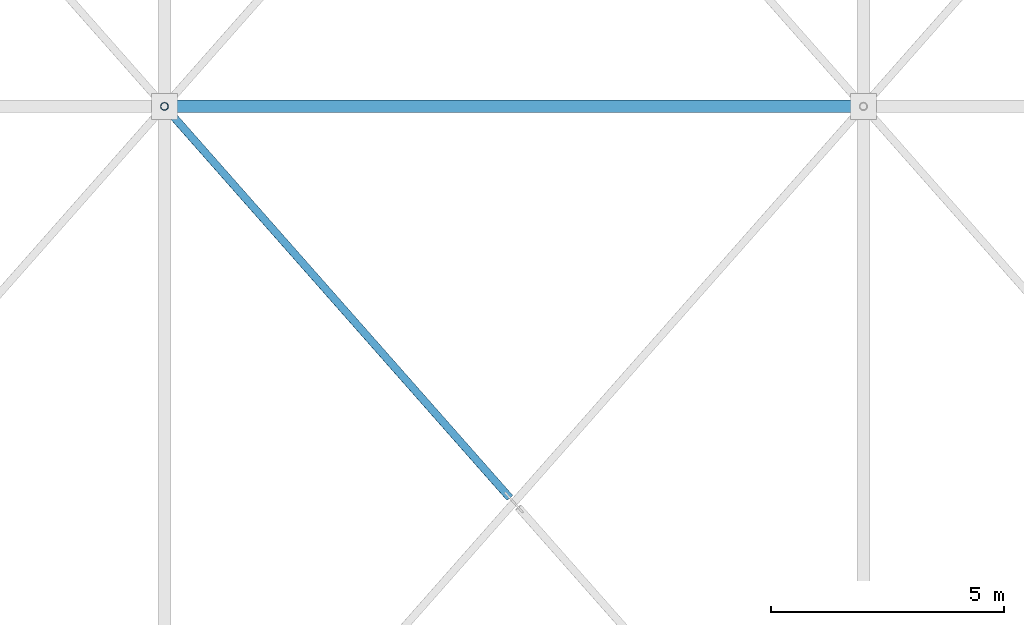
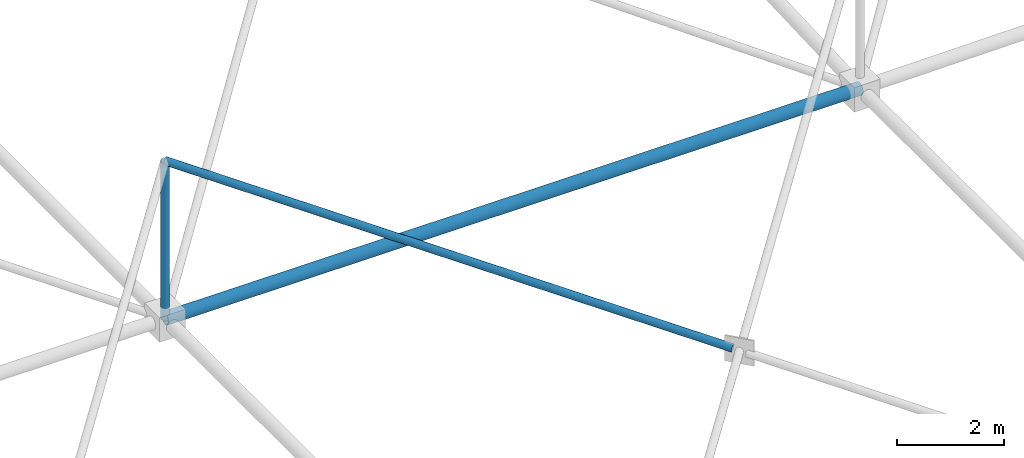
# One storey, part 103 of 224: 3 members.
"""IFC4 building model written with IfcOpenShell, lengths in metres."""

from ifc_helpers import new_model, si_unit, direction, frame, origin, origin_2d, place, context, subcontext, project, spatial, hollow_circle, extrude, material, material_profile, profile_set, type_object, element, save


model = new_model("IFC4")

# Units and contexts
model_context = context("Model", 3, precision=1e-05, world=origin(), true_north=direction((0.0, 1.0)))
body_context = subcontext(model_context, "Body", "Model", "MODEL_VIEW")
ifc_project = project(units=[si_unit("LENGTHUNIT", "METRE"), si_unit("AREAUNIT", "SQUARE_METRE"), si_unit("VOLUMEUNIT", "CUBIC_METRE"), si_unit("PLANEANGLEUNIT", "RADIAN"), si_unit("MASSUNIT", "GRAM", prefix="KILO")], contexts=[model_context])

# Site, building, storey
site_placement = place(None, origin())
site = spatial("IfcSite", under=ifc_project, at=site_placement, CompositionType="ELEMENT")
building_placement = place(site_placement, origin())
building = spatial("IfcBuilding", under=site, at=building_placement, Name="Qamarlyn Nura Convention Centre", CompositionType="ELEMENT")
storey_placement = place(building_placement, frame((0.0, 0.0, 10.800048828125)))
storey = spatial("IfcBuildingStorey", under=building, at=storey_placement, Name="L02", CompositionType="ELEMENT", Elevation=10.800048828125)

# Members
ifc_material = material(Name="Pearl-white PVDF steel ASTM A500 Grade C", Category="steel")
ifc_material_profile_1 = material_profile(ifc_material, hollow_circle(Radius=0.136474609375, WallThickness=0.012451171875, at=origin_2d()), Name="CHS273X12.5")
ifc_profile_set_1 = profile_set([ifc_material_profile_1], Name="Pearl-white PVDF steel ASTM A500 Grade C")
member_type_1 = type_object("IfcMemberType", Name="SF-BC-MAIN", PredefinedType="CHORD", material=ifc_profile_set_1)
member_1_placement = place(storey_placement, frame((90.0, 69.0, 0.800048828125), z_axis=(0.999999996689, 0.0, 8.1380208e-05), x_axis=(0.0, 1.0, 0.0)))
element("IfcMember", 1, at=member_1_placement, inside=storey, type_object=member_type_1, Name="ROOF TRUSS space frame bottom chord X8-5", PredefinedType="CHORD", context=body_context, shape_type="SweptSolid", body=[
    extrude(hollow_circle(Radius=0.136474609375, WallThickness=0.012451171875, at=origin_2d()), origin(), (0.0, 0.0, 1.0), 15.0),
])
ifc_material_profile_2 = material_profile(ifc_material, hollow_circle(Radius=0.084228515625, WallThickness=0.008056640625, at=origin_2d()), Name="CHS168.3X8")
ifc_profile_set_2 = profile_set([ifc_material_profile_2], Name="Pearl-white PVDF steel ASTM A500 Grade C")
member_type_2 = type_object("IfcMemberType", Name="SF-WEB-STD", PredefinedType="BRACE", material=ifc_profile_set_2)
member_2_placement = place(storey_placement, frame((97.408447265625, 60.603759765625, 2.62255859375), z_axis=(-0.653441239059, 0.740566737601, 0.156765602912), x_axis=(-0.749837855365, -0.661621637087, 0.0)))
element("IfcMember", 2, at=member_2_placement, inside=storey, type_object=member_type_2, Name="ROOF TRUSS space frame split diagonal B2 8-4", PredefinedType="BRACE", context=body_context, shape_type="SweptSolid", body=[
    extrude(hollow_circle(Radius=0.084228515625, WallThickness=0.008056640625, at=origin_2d()), origin(), (0.0, 0.0, 1.0), 11.337646484375),
])
member_3_placement = place(storey_placement, frame((90.0, 69.0, 0.800048828125), z_axis=(0.0, 0.0, 1.0), x_axis=(1.0, 0.0, 0.0)))
element("IfcMember", 3, at=member_3_placement, inside=storey, type_object=member_type_2, Name="ROOF TRUSS space frame vertical 8-5", PredefinedType="BRACE", context=body_context, shape_type="SweptSolid", body=[
    extrude(hollow_circle(Radius=0.084228515625, WallThickness=0.008056640625, at=origin_2d()), origin(), (0.0, 0.0, 1.0), 3.599853515625),
])

save(model, "model.ifc")
